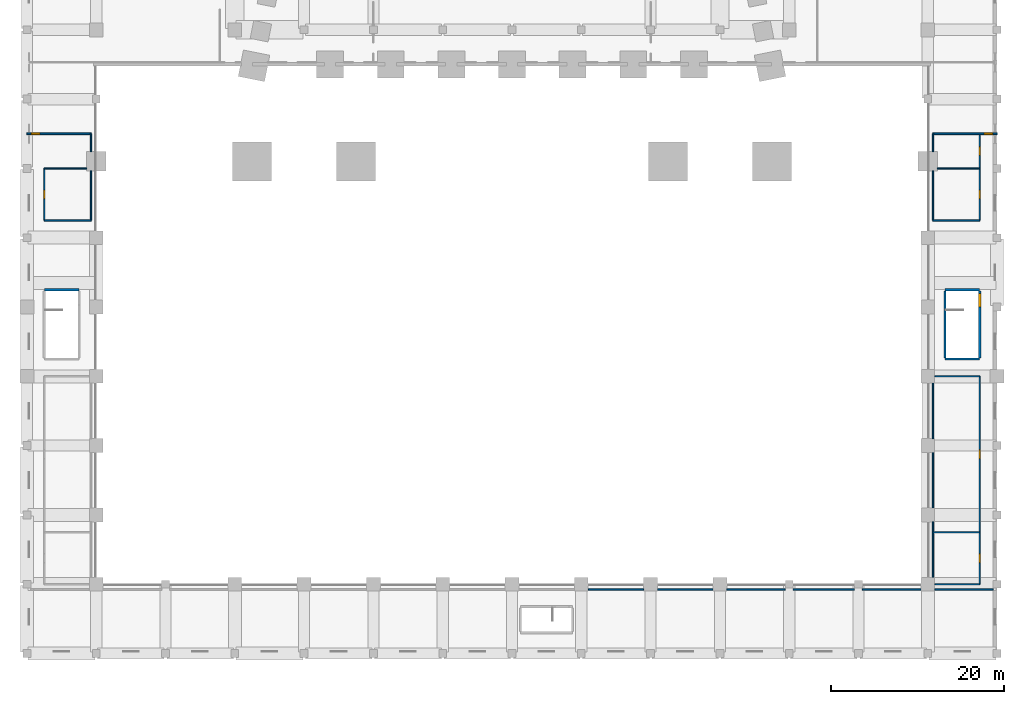
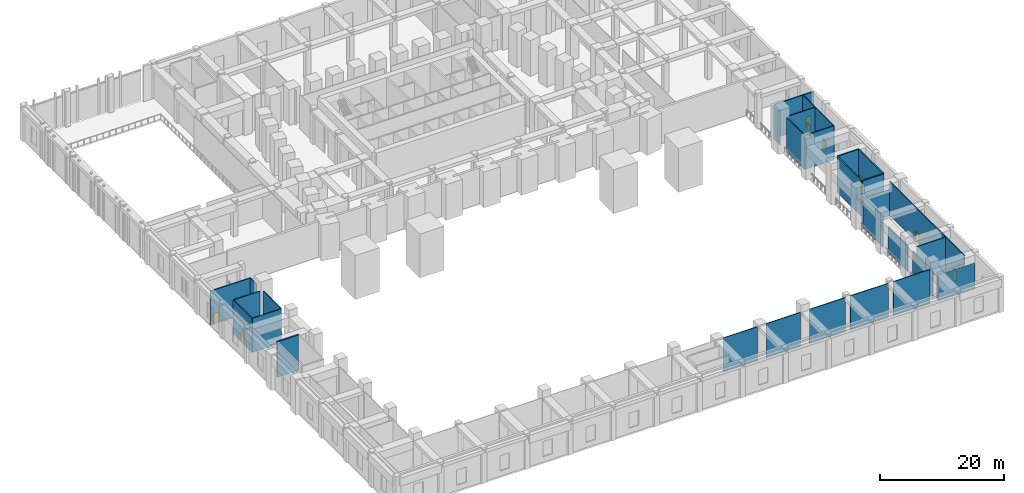
# One storey, part 7 of 18: 30 walls, 8 doors, 8 openings.
"""IFC4 building model written with IfcOpenShell, lengths in metres."""

from ifc_helpers import new_model, si_unit, direction, frame, frame_2d, origin, place, context, subcontext, project, spatial, rectangle, extrude, material, layer, layer_set, type_object, element, fill, save


model = new_model("IFC4")

# Units and contexts
model_context = context("Model", 3, precision=1e-05, world=origin(), true_north=direction((0.0, 1.0)))
body_context = subcontext(model_context, "Body", "Model", "MODEL_VIEW")
ifc_project = project(units=[si_unit("LENGTHUNIT", "METRE"), si_unit("AREAUNIT", "SQUARE_METRE"), si_unit("VOLUMEUNIT", "CUBIC_METRE"), si_unit("PLANEANGLEUNIT", "RADIAN"), si_unit("MASSUNIT", "GRAM", prefix="KILO")], contexts=[model_context])

# Site, building, storey
site_placement = place(None, origin())
site = spatial("IfcSite", under=ifc_project, at=site_placement, CompositionType="ELEMENT")
building_placement = place(site_placement, origin())
building = spatial("IfcBuilding", under=site, at=building_placement, Name="Isbrekke Arena Tower", CompositionType="ELEMENT")
storey_placement = place(building_placement, frame((0.0, 0.0, 12.0)))
storey = spatial("IfcBuildingStorey", under=building, at=storey_placement, Name="L02", CompositionType="ELEMENT", Elevation=12.0)

# Wall, opening, door
ifc_material_1 = material(Name="Gypsum board partition on steel studs", Category="steel")
ifc_layer_1 = layer(ifc_material_1, 0.14990234375)
ifc_layer_set_1 = layer_set([ifc_layer_1], Name="IW1 PARTITION 150")
wall_type_1 = type_object("IfcWallType", Name="IW1 PARTITION 150", PredefinedType="PARTITIONING", material=ifc_layer_set_1)
wall_1_placement = place(storey_placement, frame((-54.0, -24.0, 0.0), z_axis=(0.0, 0.0, 1.0), x_axis=(0.0, 1.0, 0.0)))
wall_1 = element("IfcWall", 1, at=wall_1_placement, inside=storey, type_object=wall_type_1, Name="IW1 partition L02", PredefinedType="PARTITIONING", context=body_context, shape_type="SweptSolid", body=[
    extrude(rectangle(XDim=6.0, YDim=0.14990234375, at=frame_2d((3.0, 0.0))), origin(), (0.0, 0.0, 1.0), 6.699951171875),
])
opening_1_placement = place(wall_1_placement, frame((2.5, 0.0, 0.0)))
opening_1 = element("IfcOpeningElement", 2, at=opening_1_placement, cuts=wall_1, Name="Opening D6", PredefinedType="OPENING", context=body_context, shape_type="SweptSolid", body=[
    extrude(rectangle(XDim=1.0, YDim=2.10009765625, at=frame_2d((0.5, 1.050048828125))), frame((0.0, 0.08984375, 0.0), z_axis=(0.0, -1.0, 0.0), x_axis=(1.0, 0.0, 0.0)), (0.0, 0.0, 1.0), 0.1796875),
])
ifc_material_2 = material(Name="Timber door", Category="wood")
door_type_1 = type_object("IfcDoorType", Name="D6 ROOM DOOR 1000 x 2100", OperationType="SINGLE_SWING_LEFT", PredefinedType="DOOR", material=ifc_material_2)
door_1_placement = place(opening_1_placement, origin())
door_1 = element("IfcDoor", 3, at=door_1_placement, inside=storey, type_object=door_type_1, Name="D6 door L02-08", OperationType="SINGLE_SWING_LEFT", OverallHeight=2.10009765625, OverallWidth=1.0, PredefinedType="DOOR", context=body_context, shape_type="SweptSolid", body=[
    extrude(rectangle(XDim=1.0, YDim=2.10009765625, at=frame_2d((0.5, 1.050048828125))), frame((0.0, 0.07470703125, 0.0), z_axis=(0.0, -1.0, 0.0), x_axis=(1.0, 0.0, 0.0)), (0.0, 0.0, 1.0), 0.1494140625),
])
fill(opening_1, door_1)

# Walls
wall_2_placement = place(storey_placement, frame((-48.60009765625, -24.0, 0.0), z_axis=(0.0, 0.0, 1.0), x_axis=(0.0, 1.0, 0.0)))
element("IfcWall", 4, at=wall_2_placement, inside=storey, type_object=wall_type_1, Name="IW1 partition L02", PredefinedType="PARTITIONING", context=body_context, shape_type="SweptSolid", body=[
    extrude(rectangle(XDim=5.715087890625, YDim=0.14990234375, at=frame_2d((2.857421875, 0.0))), origin(), (0.0, 0.0, 1.0), 6.699951171875),
])
wall_3_placement = place(storey_placement, frame((-48.60009765625, -16.06494140625, 0.0), z_axis=(0.0, 0.0, 1.0), x_axis=(0.0, 1.0, 0.0)))
element("IfcWall", 5, at=wall_3_placement, inside=storey, type_object=wall_type_1, Name="IW1 partition L02", PredefinedType="PARTITIONING", context=body_context, shape_type="SweptSolid", body=[
    extrude(rectangle(XDim=2.06494140625, YDim=0.14990234375, at=frame_2d((1.032470703125, 0.0))), origin(), (0.0, 0.0, 1.0), 6.699951171875),
])
for number, where, z_axis, x_axis, name in (
    (6, (48.60009765625, -65.18994140625, 0.0), (0.0, 0.0, 1.0), (0.0, 1.0, 0.0), "IW1 partition L02"),
    (7, (48.60009765625, -57.18994140625, 0.0), (0.0, 0.0, 1.0), (0.0, 1.0, 0.0), "IW1 partition L02"),
):
    element("IfcWall", number, at=place(storey_placement, frame(where, z_axis=z_axis, x_axis=x_axis)), inside=storey, type_object=wall_type_1, Name=name, PredefinedType="PARTITIONING", context=body_context, shape_type="SweptSolid", body=[
        extrude(rectangle(XDim=6.3798828125, YDim=0.14990234375, at=frame_2d((3.18994140625, 0.0))), origin(), (0.0, 0.0, 1.0), 5.09912109375),
    ])
wall_4_placement = place(storey_placement, frame((48.60009765625, -49.18994140625, 0.0), z_axis=(0.0, 0.0, 1.0), x_axis=(0.0, 1.0, 0.0)))
element("IfcWall", 8, at=wall_4_placement, inside=storey, type_object=wall_type_1, Name="IW1 partition L02", PredefinedType="PARTITIONING", context=body_context, shape_type="SweptSolid", body=[
    extrude(rectangle(XDim=6.3798828125, YDim=0.14990234375, at=frame_2d((3.18994140625, 0.0))), origin(), (0.0, 0.0, 1.0), 6.050048828125),
])
wall_5_placement = place(storey_placement, frame((48.60009765625, -24.0, 0.0), z_axis=(0.0, 0.0, 1.0), x_axis=(0.0, 1.0, 0.0)))
element("IfcWall", 9, at=wall_5_placement, inside=storey, type_object=wall_type_1, Name="IW1 partition L02", PredefinedType="PARTITIONING", context=body_context, shape_type="SweptSolid", body=[
    extrude(rectangle(XDim=5.715087890625, YDim=0.14990234375, at=frame_2d((2.857421875, 0.0))), origin(), (0.0, 0.0, 1.0), 6.699951171875),
])
wall_6_placement = place(storey_placement, frame((48.60009765625, -16.06494140625, 0.0), z_axis=(0.0, 0.0, 1.0), x_axis=(0.0, 1.0, 0.0)))
element("IfcWall", 10, at=wall_6_placement, inside=storey, type_object=wall_type_1, Name="IW1 partition L02", PredefinedType="PARTITIONING", context=body_context, shape_type="SweptSolid", body=[
    extrude(rectangle(XDim=2.06494140625, YDim=0.14990234375, at=frame_2d((1.032470703125, 0.0))), origin(), (0.0, 0.0, 1.0), 6.699951171875),
])

# Wall, openings, doors
wall_7_placement = place(storey_placement, frame((54.0, -66.0, 0.0), z_axis=(0.0, 0.0, 1.0), x_axis=(0.0, 1.0, 0.0)))
wall_7 = element("IfcWall", 11, at=wall_7_placement, inside=storey, type_object=wall_type_1, Name="IW1 partition L02", PredefinedType="PARTITIONING", context=body_context, shape_type="SweptSolid", body=[
    extrude(rectangle(XDim=24.0, YDim=0.14990234375, at=frame_2d((12.0, 0.0))), origin(), (0.0, 0.0, 1.0), 6.699951171875),
])
opening_2_placement = place(wall_7_placement, frame((2.5, 0.0, 0.0)))
opening_2 = element("IfcOpeningElement", 12, at=opening_2_placement, cuts=wall_7, Name="Opening D6", PredefinedType="OPENING", context=body_context, shape_type="SweptSolid", body=[
    extrude(rectangle(XDim=1.0, YDim=2.10009765625, at=frame_2d((0.5, 1.050048828125))), frame((0.0, 0.08984375, 0.0), z_axis=(0.0, -1.0, 0.0), x_axis=(1.0, 0.0, 0.0)), (0.0, 0.0, 1.0), 0.1796875),
])
opening_3_placement = place(wall_7_placement, frame((14.5, 0.0, 0.0)))
opening_3 = element("IfcOpeningElement", 13, at=opening_3_placement, cuts=wall_7, Name="Opening D6", PredefinedType="OPENING", context=body_context, shape_type="SweptSolid", body=[
    extrude(rectangle(XDim=1.0, YDim=2.10009765625, at=frame_2d((0.5, 1.050048828125))), frame((0.0, 0.08984375, 0.0), z_axis=(0.0, -1.0, 0.0), x_axis=(1.0, 0.0, 0.0)), (0.0, 0.0, 1.0), 0.1796875),
])
door_2_placement = place(opening_2_placement, origin())
door_2 = element("IfcDoor", 14, at=door_2_placement, inside=storey, type_object=door_type_1, Name="D6 door L02-10", OperationType="SINGLE_SWING_LEFT", OverallHeight=2.10009765625, OverallWidth=1.0, PredefinedType="DOOR", context=body_context, shape_type="SweptSolid", body=[
    extrude(rectangle(XDim=1.0, YDim=2.10009765625, at=frame_2d((0.5, 1.050048828125))), frame((0.0, 0.07470703125, 0.0), z_axis=(0.0, -1.0, 0.0), x_axis=(1.0, 0.0, 0.0)), (0.0, 0.0, 1.0), 0.1494140625),
])
fill(opening_2, door_2)
door_3_placement = place(opening_3_placement, origin())
door_3 = element("IfcDoor", 15, at=door_3_placement, inside=storey, type_object=door_type_1, Name="D6 door L02-02", OperationType="SINGLE_SWING_LEFT", OverallHeight=2.10009765625, OverallWidth=1.0, PredefinedType="DOOR", context=body_context, shape_type="SweptSolid", body=[
    extrude(rectangle(XDim=1.0, YDim=2.10009765625, at=frame_2d((0.5, 1.050048828125))), frame((0.0, 0.07470703125, 0.0), z_axis=(0.0, -1.0, 0.0), x_axis=(1.0, 0.0, 0.0)), (0.0, 0.0, 1.0), 0.1494140625),
])
fill(opening_3, door_3)

wall_8_placement = place(storey_placement, frame((54.0, -24.0, 0.0), z_axis=(0.0, 0.0, 1.0), x_axis=(0.0, 1.0, 0.0)))
wall_8 = element("IfcWall", 16, at=wall_8_placement, inside=storey, type_object=wall_type_1, Name="IW1 partition L02", PredefinedType="PARTITIONING", context=body_context, shape_type="SweptSolid", body=[
    extrude(rectangle(XDim=10.0, YDim=0.14990234375, at=frame_2d((5.0, 0.0))), origin(), (0.0, 0.0, 1.0), 6.699951171875),
])
opening_4_placement = place(wall_8_placement, frame((2.5, 0.0, 0.0)))
opening_4 = element("IfcOpeningElement", 17, at=opening_4_placement, cuts=wall_8, Name="Opening D6", PredefinedType="OPENING", context=body_context, shape_type="SweptSolid", body=[
    extrude(rectangle(XDim=1.0, YDim=2.10009765625, at=frame_2d((0.5, 1.050048828125))), frame((0.0, 0.08984375, 0.0), z_axis=(0.0, -1.0, 0.0), x_axis=(1.0, 0.0, 0.0)), (0.0, 0.0, 1.0), 0.1796875),
])
opening_5_placement = place(wall_8_placement, frame((7.5, 0.0, 0.0)))
opening_5 = element("IfcOpeningElement", 18, at=opening_5_placement, cuts=wall_8, Name="Opening D6", PredefinedType="OPENING", context=body_context, shape_type="SweptSolid", body=[
    extrude(rectangle(XDim=1.0, YDim=2.10009765625, at=frame_2d((0.5, 1.050048828125))), frame((0.0, 0.08984375, 0.0), z_axis=(0.0, -1.0, 0.0), x_axis=(1.0, 0.0, 0.0)), (0.0, 0.0, 1.0), 0.1796875),
])
door_4_placement = place(opening_4_placement, origin())
door_4 = element("IfcDoor", 19, at=door_4_placement, inside=storey, type_object=door_type_1, Name="D6 door L02-07", OperationType="SINGLE_SWING_LEFT", OverallHeight=2.10009765625, OverallWidth=1.0, PredefinedType="DOOR", context=body_context, shape_type="SweptSolid", body=[
    extrude(rectangle(XDim=1.0, YDim=2.10009765625, at=frame_2d((0.5, 1.050048828125))), frame((0.0, 0.07470703125, 0.0), z_axis=(0.0, -1.0, 0.0), x_axis=(1.0, 0.0, 0.0)), (0.0, 0.0, 1.0), 0.1494140625),
])
fill(opening_4, door_4)
door_5_placement = place(opening_5_placement, origin())
door_5 = element("IfcDoor", 20, at=door_5_placement, inside=storey, type_object=door_type_1, Name="D6 door L02-09", OperationType="SINGLE_SWING_LEFT", OverallHeight=2.10009765625, OverallWidth=1.0, PredefinedType="DOOR", context=body_context, shape_type="SweptSolid", body=[
    extrude(rectangle(XDim=1.0, YDim=2.10009765625, at=frame_2d((0.5, 1.050048828125))), frame((0.0, 0.07470703125, 0.0), z_axis=(0.0, -1.0, 0.0), x_axis=(1.0, 0.0, 0.0)), (0.0, 0.0, 1.0), 0.1494140625),
])
fill(opening_5, door_5)

# Walls
for number, where, z_axis, x_axis, name in (
    (21, (8.81005859375, -66.60009765625, 0.0), (0.0, 0.0, 1.0), (1.0, 0.0, 0.0), "IW1 partition L02"),
    (22, (16.81005859375, -66.60009765625, 0.0), (0.0, 0.0, 1.0), (1.0, 0.0, 0.0), "IW1 partition L02"),
):
    element("IfcWall", number, at=place(storey_placement, frame(where, z_axis=z_axis, x_axis=x_axis)), inside=storey, type_object=wall_type_1, Name=name, PredefinedType="PARTITIONING", context=body_context, shape_type="SweptSolid", body=[
        extrude(rectangle(XDim=6.3798828125, YDim=0.14990234375, at=frame_2d((3.18994140625, 0.0))), origin(), (0.0, 0.0, 1.0), 6.699951171875),
    ])
wall_9_placement = place(storey_placement, frame((24.81005859375, -66.60009765625, 0.0), z_axis=(0.0, 0.0, 1.0), x_axis=(1.0, 0.0, 0.0)))
element("IfcWall", 23, at=wall_9_placement, inside=storey, type_object=wall_type_1, Name="IW1 partition L02", PredefinedType="PARTITIONING", context=body_context, shape_type="SweptSolid", body=[
    extrude(rectangle(XDim=6.72998046875, YDim=0.14990234375, at=frame_2d((3.364990234375, 0.0))), origin(), (0.0, 0.0, 1.0), 6.699951171875),
])
wall_10_placement = place(storey_placement, frame((32.4599609375, -66.60009765625, 0.0), z_axis=(0.0, 0.0, 1.0), x_axis=(1.0, 0.0, 0.0)))
element("IfcWall", 24, at=wall_10_placement, inside=storey, type_object=wall_type_1, Name="IW1 partition L02", PredefinedType="PARTITIONING", context=body_context, shape_type="SweptSolid", body=[
    extrude(rectangle(XDim=7.080078125, YDim=0.14990234375, at=frame_2d((3.5400390625, 0.0))), origin(), (0.0, 0.0, 1.0), 6.699951171875),
])
wall_11_placement = place(storey_placement, frame((40.4599609375, -66.60009765625, 0.0), z_axis=(0.0, 0.0, 1.0), x_axis=(1.0, 0.0, 0.0)))
element("IfcWall", 25, at=wall_11_placement, inside=storey, type_object=wall_type_1, Name="IW1 partition L02", PredefinedType="PARTITIONING", context=body_context, shape_type="SweptSolid", body=[
    extrude(rectangle(XDim=6.72998046875, YDim=0.14990234375, at=frame_2d((3.364990234375, 0.0))), origin(), (0.0, 0.0, 1.0), 6.699951171875),
])
wall_12_placement = place(storey_placement, frame((48.81005859375, -66.60009765625, 0.0), z_axis=(0.0, 0.0, 1.0), x_axis=(1.0, 0.0, 0.0)))
element("IfcWall", 26, at=wall_12_placement, inside=storey, type_object=wall_type_1, Name="IW1 partition L02", PredefinedType="PARTITIONING", context=body_context, shape_type="SweptSolid", body=[
    extrude(rectangle(XDim=6.72998046875, YDim=0.14990234375, at=frame_2d((3.364990234375, 0.0))), origin(), (0.0, 0.0, 1.0), 5.09912109375),
])
wall_13_placement = place(storey_placement, frame((48.81005859375, -66.0, 0.0), z_axis=(0.0, 0.0, 1.0), x_axis=(1.0, 0.0, 0.0)))
element("IfcWall", 27, at=wall_13_placement, inside=storey, type_object=wall_type_1, Name="IW1 partition L02", PredefinedType="PARTITIONING", context=body_context, shape_type="SweptSolid", body=[
    extrude(rectangle(XDim=5.18994140625, YDim=0.14990234375, at=frame_2d((2.594970703125, 0.0))), origin(), (0.0, 0.0, 1.0), 5.09912109375),
])
wall_14_placement = place(storey_placement, frame((48.60009765625, -60.0, 0.0), z_axis=(0.0, 0.0, 1.0), x_axis=(1.0, 0.0, 0.0)))
element("IfcWall", 28, at=wall_14_placement, inside=storey, type_object=wall_type_1, Name="IW1 partition L02", PredefinedType="PARTITIONING", context=body_context, shape_type="SweptSolid", body=[
    extrude(rectangle(XDim=5.39990234375, YDim=0.14990234375, at=frame_2d((2.699951171875, 0.0))), origin(), (0.0, 0.0, 1.0), 6.699951171875),
])
wall_15_placement = place(storey_placement, frame((48.81005859375, -42.0, 0.0), z_axis=(0.0, 0.0, 1.0), x_axis=(1.0, 0.0, 0.0)))
element("IfcWall", 29, at=wall_15_placement, inside=storey, type_object=wall_type_1, Name="IW1 partition L02", PredefinedType="PARTITIONING", context=body_context, shape_type="SweptSolid", body=[
    extrude(rectangle(XDim=5.18994140625, YDim=0.14990234375, at=frame_2d((2.594970703125, 0.0))), origin(), (0.0, 0.0, 1.0), 5.09912109375),
])
for number, where, z_axis, x_axis, name in (
    (30, (-54.0, -24.0, 0.0), (0.0, 0.0, 1.0), (1.0, 0.0, 0.0), "IW1 partition L02"),
    (31, (48.60009765625, -24.0, 0.0), (0.0, 0.0, 1.0), (1.0, 0.0, 0.0), "IW1 partition L02"),
):
    element("IfcWall", number, at=place(storey_placement, frame(where, z_axis=z_axis, x_axis=x_axis)), inside=storey, type_object=wall_type_1, Name=name, PredefinedType="PARTITIONING", context=body_context, shape_type="SweptSolid", body=[
        extrude(rectangle(XDim=5.39990234375, YDim=0.14990234375, at=frame_2d((2.699951171875, 0.0))), origin(), (0.0, 0.0, 1.0), 6.699951171875),
    ])
for number, where, z_axis, x_axis, name in (
    (32, (-54.0, -18.0, 0.0), (0.0, 0.0, 1.0), (1.0, 0.0, 0.0), "IW1 partition L02"),
    (33, (49.110107421875, -18.0, 0.0), (0.0, 0.0, 1.0), (1.0, 0.0, 0.0), "IW1 partition L02"),
):
    element("IfcWall", number, at=place(storey_placement, frame(where, z_axis=z_axis, x_axis=x_axis)), inside=storey, type_object=wall_type_1, Name=name, PredefinedType="PARTITIONING", context=body_context, shape_type="SweptSolid", body=[
        extrude(rectangle(XDim=4.889892578125, YDim=0.14990234375, at=frame_2d((2.44482421875, 0.0))), origin(), (0.0, 0.0, 1.0), 6.699951171875),
    ])

# Wall, opening, door
ifc_material_3 = material(Name="Gypsum board fire-cell wall on steel studs, two layers each side", Category="steel")
ifc_layer_2 = layer(ifc_material_3, 0.199951171875)
ifc_layer_set_2 = layer_set([ifc_layer_2], Name="IW3 FIRE-CELL WALL 200")
wall_type_2 = type_object("IfcWallType", Name="IW3 FIRE-CELL WALL 200", PredefinedType="PARTITIONING", material=ifc_layer_set_2)
wall_16_placement = place(storey_placement, frame((-56.0, -14.0, 0.0), z_axis=(0.0, 0.0, 1.0), x_axis=(1.0, 0.0, 0.0)))
wall_16 = element("IfcWall", 34, at=wall_16_placement, inside=storey, type_object=wall_type_2, Name="IW3 fire-cell wall L02", PredefinedType="PARTITIONING", context=body_context, shape_type="SweptSolid", body=[
    extrude(rectangle(XDim=7.39990234375, YDim=0.199951171875, at=frame_2d((3.699951171875, 0.0))), origin(), (0.0, 0.0, 1.0), 6.699951171875),
])
opening_6_placement = place(wall_16_placement, frame((0.5, 0.0, 0.0)))
opening_6 = element("IfcOpeningElement", 35, at=opening_6_placement, cuts=wall_16, Name="Opening D3", PredefinedType="OPENING", context=body_context, shape_type="SweptSolid", body=[
    extrude(rectangle(XDim=1.0, YDim=2.10009765625, at=frame_2d((0.5, 1.050048828125))), frame((0.0, 0.11474609375, 0.0), z_axis=(0.0, -1.0, 0.0), x_axis=(1.0, 0.0, 0.0)), (0.0, 0.0, 1.0), 0.229736328125),
])
ifc_material_4 = material(Name="Steel fire door", Category="steel")
door_type_2 = type_object("IfcDoorType", Name="D3 FIRE LOBBY DOOR 1000 x 2100", OperationType="SINGLE_SWING_RIGHT", PredefinedType="DOOR", material=ifc_material_4)
door_6_placement = place(opening_6_placement, origin())
door_6 = element("IfcDoor", 36, at=door_6_placement, inside=storey, type_object=door_type_2, Name="D3 fire-cell door L02 west hospitality corridor", OperationType="SINGLE_SWING_RIGHT", OverallHeight=2.10009765625, OverallWidth=1.0, PredefinedType="DOOR", context=body_context, shape_type="SweptSolid", body=[
    extrude(rectangle(XDim=1.0, YDim=2.10009765625, at=frame_2d((0.5, 1.050048828125))), frame((0.0, 0.099609375, 0.0), z_axis=(0.0, -1.0, 0.0), x_axis=(1.0, 0.0, 0.0)), (0.0, 0.0, 1.0), 0.199462890625),
])
fill(opening_6, door_6)

wall_17_placement = place(storey_placement, frame((48.60009765625, -14.0, 0.0), z_axis=(0.0, 0.0, 1.0), x_axis=(1.0, 0.0, 0.0)))
wall_17 = element("IfcWall", 37, at=wall_17_placement, inside=storey, type_object=wall_type_2, Name="IW3 fire-cell wall L02", PredefinedType="PARTITIONING", context=body_context, shape_type="SweptSolid", body=[
    extrude(rectangle(XDim=7.39990234375, YDim=0.199951171875, at=frame_2d((3.699951171875, 0.0))), origin(), (0.0, 0.0, 1.0), 6.699951171875),
])
opening_7_placement = place(wall_17_placement, frame((5.89990234375, 0.0, 0.0)))
opening_7 = element("IfcOpeningElement", 38, at=opening_7_placement, cuts=wall_17, Name="Opening D3", PredefinedType="OPENING", context=body_context, shape_type="SweptSolid", body=[
    extrude(rectangle(XDim=1.0, YDim=2.10009765625, at=frame_2d((0.5, 1.050048828125))), frame((0.0, 0.11474609375, 0.0), z_axis=(0.0, -1.0, 0.0), x_axis=(1.0, 0.0, 0.0)), (0.0, 0.0, 1.0), 0.229736328125),
])
door_7_placement = place(opening_7_placement, origin())
door_7 = element("IfcDoor", 39, at=door_7_placement, inside=storey, type_object=door_type_2, Name="D3 fire-cell door L02 east hospitality corridor", OperationType="SINGLE_SWING_RIGHT", OverallHeight=2.10009765625, OverallWidth=1.0, PredefinedType="DOOR", context=body_context, shape_type="SweptSolid", body=[
    extrude(rectangle(XDim=1.0, YDim=2.10009765625, at=frame_2d((0.5, 1.050048828125))), frame((0.0, 0.099609375, 0.0), z_axis=(0.0, -1.0, 0.0), x_axis=(1.0, 0.0, 0.0)), (0.0, 0.0, 1.0), 0.199462890625),
])
fill(opening_7, door_7)

# Walls
ifc_material_5 = material(Name="Concrete B45 (C45/55)", Category="concrete")
ifc_layer_3 = layer(ifc_material_5, 0.25)
ifc_layer_set_3 = layer_set([ifc_layer_3], Name="SW1 STAIR ENCLOSURE WALL 250")
wall_type_3 = type_object("IfcWallType", Name="SW1 STAIR ENCLOSURE WALL 250", PredefinedType="SOLIDWALL", material=ifc_layer_set_3)
for number, where, z_axis, x_axis, name in (
    (40, (50.0, -40.0, 0.0), (0.0, 0.0, 1.0), (1.0, 0.0, 0.0), "SW1 stair wall P3 S L02"),
    (41, (54.0, -32.0, 0.0), (0.0, 0.0, 1.0), (-1.0, 0.0, 0.0), "SW1 stair wall P3 N L02"),
):
    element("IfcWall", number, at=place(storey_placement, frame(where, z_axis=z_axis, x_axis=x_axis)), inside=storey, type_object=wall_type_3, Name=name, PredefinedType="SOLIDWALL", context=body_context, shape_type="SweptSolid", body=[
        extrude(rectangle(XDim=4.0, YDim=0.25, at=frame_2d((2.0, 0.0))), origin(), (0.0, 0.0, 1.0), 7.0),
    ])

# Wall, opening, door
wall_18_placement = place(storey_placement, frame((54.0, -39.875, 0.0), z_axis=(0.0, 0.0, 1.0), x_axis=(0.0, 1.0, 0.0)))
wall_18 = element("IfcWall", 42, at=wall_18_placement, inside=storey, type_object=wall_type_3, Name="SW1 stair wall P3 E L02", PredefinedType="SOLIDWALL", context=body_context, shape_type="SweptSolid", body=[
    extrude(rectangle(XDim=7.75, YDim=0.25, at=frame_2d((3.875, 0.0))), origin(), (0.0, 0.0, 1.0), 7.0),
])
opening_8_placement = place(wall_18_placement, frame((5.85009765625, 0.0, 0.0)))
opening_8 = element("IfcOpeningElement", 43, at=opening_8_placement, cuts=wall_18, Name="Opening D7", PredefinedType="OPENING", context=body_context, shape_type="SweptSolid", body=[
    extrude(rectangle(XDim=1.60009765625, YDim=2.10009765625, at=frame_2d((0.800048828125, 1.050048828125))), frame((0.0, 0.139892578125, 0.0), z_axis=(0.0, -1.0, 0.0), x_axis=(1.0, 0.0, 0.0)), (0.0, 0.0, 1.0), 0.27978515625),
])
ifc_material_6 = material(Name="Steel fire door", Category="steel")
door_type_3 = type_object("IfcDoorType", Name="D7 PODIUM STAIR DOOR 1600 x 2100", OperationType="DOUBLE_DOOR_SINGLE_SWING", PredefinedType="DOOR", material=ifc_material_6)
door_8_placement = place(opening_8_placement, origin())
door_8 = element("IfcDoor", 44, at=door_8_placement, inside=storey, type_object=door_type_3, Name="D7 stair door P3 L02", OperationType="DOUBLE_DOOR_SINGLE_SWING", OverallHeight=2.10009765625, OverallWidth=1.60009765625, PredefinedType="DOOR", context=body_context, shape_type="SweptSolid", body=[
    extrude(rectangle(XDim=1.60009765625, YDim=2.10009765625, at=frame_2d((0.800048828125, 1.050048828125))), frame((0.0, 0.124755859375, 0.0), z_axis=(0.0, -1.0, 0.0), x_axis=(1.0, 0.0, 0.0)), (0.0, 0.0, 1.0), 0.24951171875),
])
fill(opening_8, door_8)

# Walls
wall_19_placement = place(storey_placement, frame((50.0, -32.125, 0.0), z_axis=(0.0, 0.0, 1.0), x_axis=(0.0, -1.0, 0.0)))
element("IfcWall", 45, at=wall_19_placement, inside=storey, type_object=wall_type_3, Name="SW1 stair wall P3 W L02", PredefinedType="SOLIDWALL", context=body_context, shape_type="SweptSolid", body=[
    extrude(rectangle(XDim=7.75, YDim=0.25, at=frame_2d((3.875, 0.0))), origin(), (0.0, 0.0, 1.0), 7.0),
])
wall_20_placement = place(storey_placement, frame((-50.0, -32.0, 0.0), z_axis=(0.0, 0.0, 1.0), x_axis=(-1.0, 0.0, 0.0)))
element("IfcWall", 46, at=wall_20_placement, inside=storey, type_object=wall_type_3, Name="SW1 stair wall P4 N L02", PredefinedType="SOLIDWALL", context=body_context, shape_type="SweptSolid", body=[
    extrude(rectangle(XDim=4.0, YDim=0.25, at=frame_2d((2.0, 0.0))), origin(), (0.0, 0.0, 1.0), 7.0),
])

save(model, "model.ifc")
